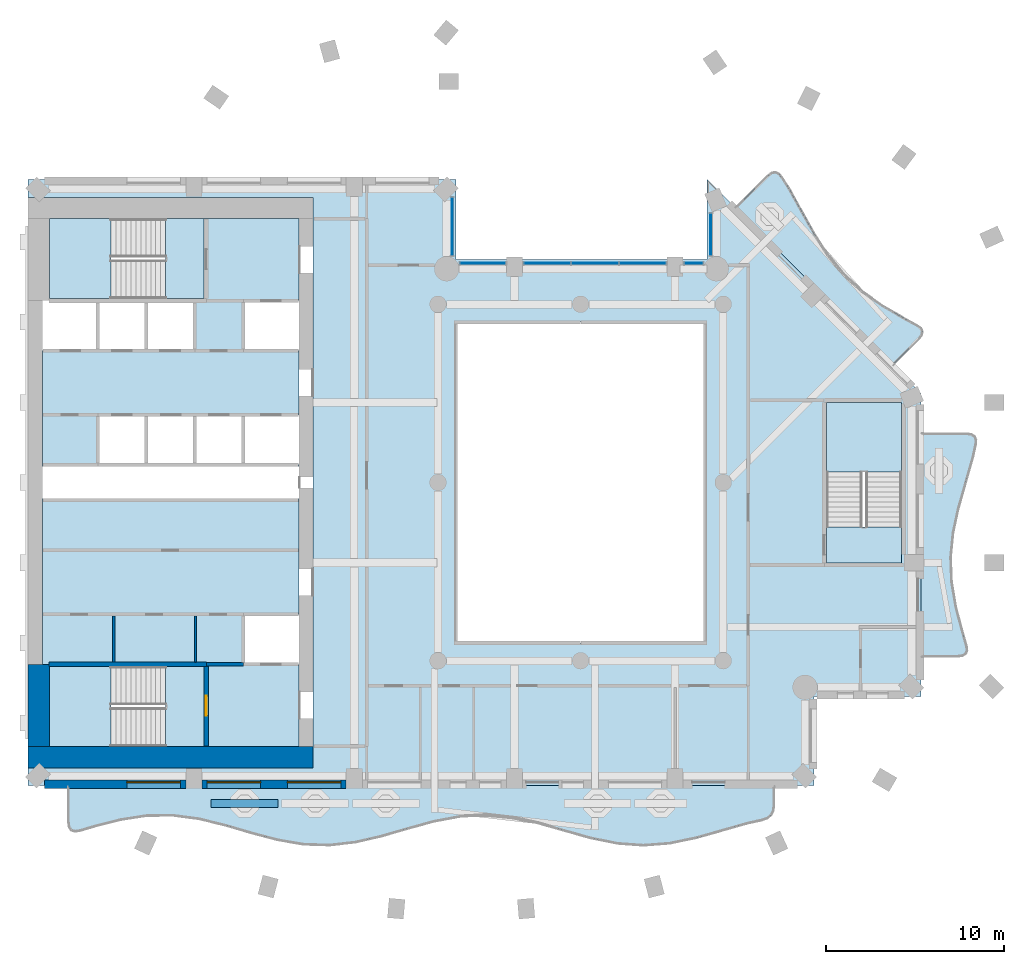
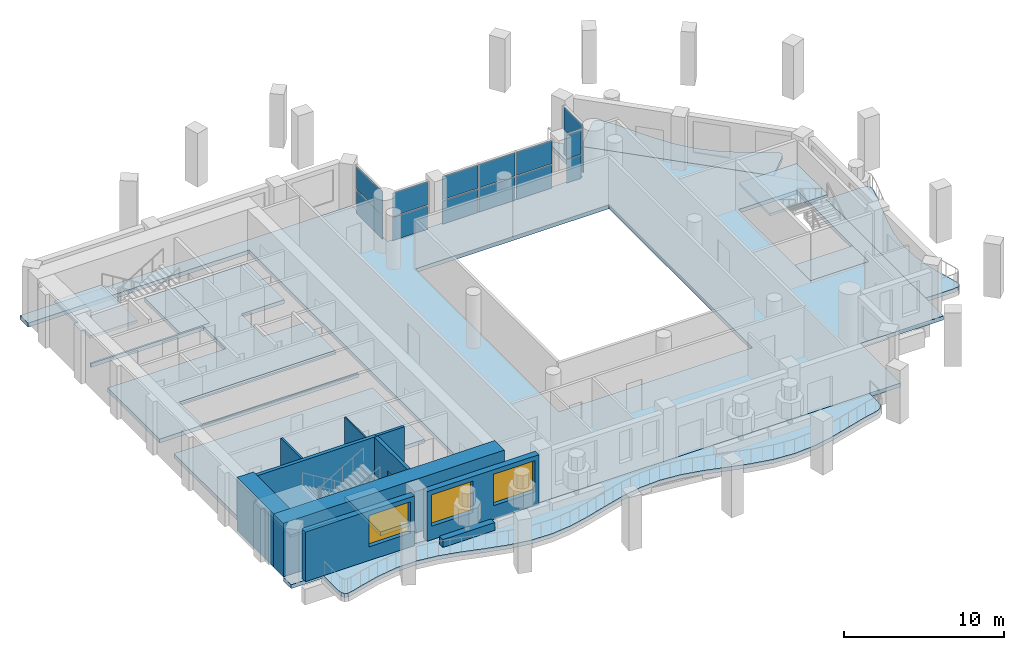
# One storey, part 3 of 14: 14 plates, 12 slabs, 10 walls, 3 windows, 1 door, 4 openings, 8 elements without a shape of their own.
"""IFC4 building model written with IfcOpenShell, lengths in metres."""

from ifc_helpers import new_model, si_unit, direction, frame, frame_2d, origin, origin_2d, place, context, subcontext, project, spatial, polyline, rectangle, outline, extrude, material, layer, layer_set, type_object, element, fill, aggregate, save


model = new_model("IFC4")

# Units and contexts
model_context = context("Model", 3, precision=1e-05, world=origin(), true_north=direction((0.0, 1.0)))
body_context = subcontext(model_context, "Body", "Model", "MODEL_VIEW")
ifc_project = project(units=[si_unit("LENGTHUNIT", "METRE"), si_unit("AREAUNIT", "SQUARE_METRE"), si_unit("VOLUMEUNIT", "CUBIC_METRE"), si_unit("PLANEANGLEUNIT", "RADIAN"), si_unit("MASSUNIT", "GRAM", prefix="KILO")], contexts=[model_context])

# Site, building, storey
site_placement = place(None, origin())
site = spatial("IfcSite", under=ifc_project, at=site_placement, CompositionType="ELEMENT")
building_placement = place(site_placement, origin())
building = spatial("IfcBuilding", under=site, at=building_placement, Name="Cypress Arch Tower", CompositionType="ELEMENT")
storey_placement = place(building_placement, frame((0.0, 0.0, 226.10009765625)))
storey = spatial("IfcBuildingStorey", under=building, at=storey_placement, Name="L50", CompositionType="ELEMENT", Elevation=226.10009765625)

# Slabs
ifc_material_1 = material(Name="Concrete C40/50", Category="concrete")
ifc_layer_1 = layer(ifc_material_1, 0.300048828125)
ifc_layer_set_1 = layer_set([ifc_layer_1], Name="Balcony slab BS300")
slab_type_1 = type_object("IfcSlabType", Name="Balcony slab BS300", PredefinedType="USERDEFINED", material=ifc_layer_set_1)
slab_1_placement = place(storey_placement, frame((0.0, 0.0, -0.300048828125)))
element("IfcSlab", 1, at=slab_1_placement, inside=storey, type_object=slab_type_1, Name="Balcony slab L50-B01", ObjectType="BALCONY SLAB", PredefinedType="USERDEFINED", context=body_context, shape_type="SweptSolid", body=[
    extrude(outline(polyline([(-27.75, -17.0), (-27.75, -19.03857421875), (-27.708740234375, -19.327392578125), (-27.5849609375, -19.505859375), (-27.378662109375, -19.574462890625), (-27.090087890625, -19.53271484375), (-26.283447265625, -19.2958984375), (-24.816650390625, -18.91943359375), (-23.35009765625, -18.693359375), (-21.88330078125, -18.676025390625), (-20.416748046875, -18.871337890625), (-18.949951171875, -19.2294921875), (-17.4833984375, -19.65869140625), (-16.0166015625, -20.048828125), (-14.550048828125, -20.2998046875), (-13.083251953125, -20.347412109375), (-11.61669921875, -20.17919921875), (-10.14990234375, -19.83837890625), (-8.683349609375, -19.41259765625), (-7.216552734375, -19.0107421875), (-5.75, -18.736083984375), (-4.283447265625, -18.65869140625), (-2.816650390625, -18.798828125), (-1.35009765625, -19.120361328125), (0.11669921875, -19.541015625), (1.583251953125, -19.95263671875), (3.050048828125, -20.249755859375), (4.5166015625, -20.356201171875), (5.9833984375, -20.244873046875), (7.449951171875, -19.944091796875), (8.916748046875, -19.531005859375), (10.38330078125, -19.111572265625), (11.18994140625, -18.936767578125), (11.478759765625, -18.831787109375), (11.68505859375, -18.660400390625), (11.808837890625, -18.422607421875), (11.85009765625, -18.1181640625), (11.85009765625, -17.0), (-27.75, -17.0)])), origin(), (0.0, 0.0, 1.0), 0.300048828125),
])
slab_2_placement = place(storey_placement, frame((0.0, 0.0, -0.300048828125)))
element("IfcSlab", 2, at=slab_2_placement, inside=storey, type_object=slab_type_1, Name="Balcony slab L50-B04", ObjectType="BALCONY SLAB", PredefinedType="USERDEFINED", context=body_context, shape_type="SweptSolid", body=[
    extrude(outline(polyline([(20.10009765625, -9.75), (22.1748046875, -9.75), (22.448486328125, -9.7109375), (22.61767578125, -9.59375), (22.682373046875, -9.3984375), (22.642822265625, -9.125), (22.41845703125, -8.361083984375), (22.0537109375, -6.97216796875), (21.81640625, -5.583251953125), (21.76123046875, -4.1943359375), (21.900634765625, -2.8056640625), (22.202880859375, -1.416748046875), (22.59814453125, -0.02783203125), (22.9951171875, 1.361083984375), (23.164306640625, 2.125), (23.184814453125, 2.3984375), (23.10791015625, 2.59375), (22.933837890625, 2.7109375), (22.66259765625, 2.75), (20.10009765625, 2.75), (20.10009765625, -9.75)])), origin(), (0.0, 0.0, 1.0), 0.300048828125),
])
slab_3_placement = place(storey_placement, frame((0.0, 0.0, -0.300048828125)))
element("IfcSlab", 3, at=slab_3_placement, inside=storey, type_object=slab_type_1, Name="Balcony slab L50-B05", ObjectType="BALCONY SLAB", PredefinedType="USERDEFINED", context=body_context, shape_type="SweptSolid", body=[
    extrude(outline(polyline([(18.509033203125, 6.591064453125), (19.977294921875, 8.059326171875), (20.142578125, 8.27978515625), (20.179443359375, 8.481689453125), (20.087158203125, 8.665283203125), (19.866455078125, 8.830078125), (19.169189453125, 9.210693359375), (17.931884765625, 9.93310546875), (16.7841796875, 10.744873046875), (15.76416015625, 11.6845703125), (14.881591796875, 12.76123046875), (14.11376953125, 13.953125), (13.412109375, 15.211181640625), (12.713134765625, 16.471435546875), (12.29443359375, 17.130615234375), (12.116455078125, 17.33837890625), (11.9248046875, 17.42236328125), (11.71923828125, 17.38232421875), (11.500244140625, 17.21826171875), (9.69091796875, 15.408935546875), (18.509033203125, 6.591064453125)])), origin(), (0.0, 0.0, 1.0), 0.300048828125),
])
ifc_material_2 = material(Name="Concrete C40/50", Category="concrete")
ifc_layer_2 = layer(ifc_material_2, 0.300048828125)
ifc_layer_set_2 = layer_set([ifc_layer_2], Name="Core floor CF300")
slab_type_2 = type_object("IfcSlabType", Name="Core floor CF300", PredefinedType="FLOOR", material=ifc_layer_set_2)
slab_4_placement = place(storey_placement, frame((0.0, 0.0, -0.300048828125)))
element("IfcSlab", 4, at=slab_4_placement, inside=storey, type_object=slab_type_2, Name="Core floor", PredefinedType="FLOOR", context=body_context, shape_type="SweptSolid", body=[
    extrude(outline(polyline([(-28.800048828125, -10.199951171875), (-29.199951171875, -10.199951171875), (-29.199951171875, -0.89990234375), (-15.199951171875, -0.89990234375), (-14.800048828125, -0.89990234375), (-14.800048828125, -7.39990234375), (-15.199951171875, -7.39990234375), (-17.919921875, -7.39990234375), (-17.919921875, -10.199951171875), (-15.199951171875, -10.199951171875), (-14.800048828125, -10.199951171875), (-14.800048828125, -14.800048828125), (-15.199951171875, -14.800048828125), (-20.125, -14.800048828125), (-20.125, -10.324951171875), (-22.27490234375, -10.324951171875), (-28.800048828125, -10.324951171875), (-28.800048828125, -10.199951171875)])), origin(), (0.0, 0.0, 1.0), 0.300048828125),
])
slab_5_placement = place(storey_placement, frame((0.0, 0.0, -0.300048828125)))
element("IfcSlab", 5, at=slab_5_placement, inside=storey, type_object=slab_type_2, Name="Core floor", PredefinedType="FLOOR", context=body_context, shape_type="SweptSolid", body=[
    extrude(outline(polyline([(-22.27490234375, -10.324951171875), (-22.27490234375, -14.800048828125), (-20.125, -14.800048828125), (-20.125, -10.324951171875), (-22.27490234375, -10.324951171875)])), origin(), (0.0, 0.0, 1.0), 0.300048828125),
])
slab_6_placement = place(storey_placement, frame((0.0, 0.0, -0.300048828125)))
element("IfcSlab", 6, at=slab_6_placement, inside=storey, type_object=slab_type_2, Name="Core floor", PredefinedType="FLOOR", context=body_context, shape_type="SweptSolid", body=[
    extrude(outline(polyline([(-20.125, 14.800048828125), (-22.27490234375, 14.800048828125), (-22.27490234375, 10.324951171875), (-20.125, 10.324951171875), (-20.125, 14.800048828125)])), origin(), (0.0, 0.0, 1.0), 0.300048828125),
])
slab_7_placement = place(storey_placement, frame((0.0, 0.0, -0.300048828125)))
element("IfcSlab", 7, at=slab_7_placement, inside=storey, type_object=slab_type_2, Name="Stair floor landing", PredefinedType="FLOOR", context=body_context, shape_type="SweptSolid", body=[
    extrude(outline(polyline([(19.0, -4.5), (19.0, -2.5), (14.800048828125, -2.5), (14.800048828125, -4.5), (19.0, -4.5)])), origin(), (0.0, 0.0, 1.0), 0.300048828125),
])
slab_8_placement = place(storey_placement, frame((0.0, 0.0, -0.300048828125)))
element("IfcSlab", 8, at=slab_8_placement, inside=storey, type_object=slab_type_2, Name="Core floor", PredefinedType="FLOOR", context=body_context, shape_type="SweptSolid", body=[
    extrude(outline(polyline([(-20.639892578125, 7.39990234375), (-20.639892578125, 10.199951171875), (-23.360107421875, 10.199951171875), (-26.080078125, 10.199951171875), (-28.800048828125, 10.199951171875), (-28.800048828125, 10.324951171875), (-22.27490234375, 10.324951171875), (-20.125, 10.324951171875), (-20.125, 14.800048828125), (-15.199951171875, 14.800048828125), (-14.800048828125, 14.800048828125), (-14.800048828125, 10.199951171875), (-15.199951171875, 10.199951171875), (-17.919921875, 10.199951171875), (-17.919921875, 7.39990234375), (-15.199951171875, 7.39990234375), (-14.800048828125, 7.39990234375), (-14.800048828125, 3.800048828125), (-15.199951171875, 3.800048828125), (-17.919921875, 3.800048828125), (-20.639892578125, 3.800048828125), (-23.360107421875, 3.800048828125), (-26.080078125, 3.800048828125), (-26.080078125, 1.5), (-26.080078125, 1.5), (-26.080078125, 1.0), (-25.679931640625, 1.0), (-23.360107421875, 1.0), (-20.639892578125, 1.0), (-17.919921875, 1.0), (-15.199951171875, 1.0), (-14.800048828125, 1.0), (-14.800048828125, 0.89990234375), (-15.199951171875, 0.89990234375), (-25.679931640625, 0.89990234375), (-26.47998046875, 0.89990234375), (-29.199951171875, 0.89990234375), (-29.199951171875, 1.5), (-29.199951171875, 7.39990234375), (-26.080078125, 7.39990234375), (-23.360107421875, 7.39990234375), (-20.639892578125, 7.39990234375)])), origin(), (0.0, 0.0, 1.0), 0.300048828125),
])

# Curtain wall, plates
ifc_material_3 = material(Name="Anodised aluminium, bronze finish, clear laminated double glazing", Category="aluminium")
curtain_wall_type = type_object("IfcCurtainWallType", Name="Curtain wall CW7 slot glazing", PredefinedType="NOTDEFINED", material=ifc_material_3)
curtain_wall_1_placement = place(storey_placement, origin())
curtain_wall_1 = element("IfcCurtainWall", 9, at=curtain_wall_1_placement, inside=storey, type_object=curtain_wall_type, Name="Curtain wall L50 slot B06.0", PredefinedType="NOTDEFINED")
ifc_material_4 = material(Name="Clear laminated double glazing", Category="glass")
ifc_layer_3 = layer(ifc_material_4, 0.0439453125)
ifc_layer_set_3 = layer_set([ifc_layer_3], Name="Glass panel CW7 44")
plate_type = type_object("IfcPlateType", Name="Glass panel CW7 44", PredefinedType="CURTAIN_PANEL", material=ifc_layer_set_3)
plate_1_placement = place(storey_placement, frame((8.300048828125, 13.912353515625, 0.0849609375), z_axis=(0.0, 0.0, 1.0), x_axis=(0.0, -1.0, 0.0)))
plate_1 = element("IfcPlate", 10, at=plate_1_placement, type_object=plate_type, Name="CW7 panel 1.1", PredefinedType="CURTAIN_PANEL", context=body_context, shape_type="SweptSolid", body=[
    extrude(rectangle(XDim=2.345458984375, YDim=0.0439453125, at=origin_2d()), origin(), (0.0, 0.0, 1.0), 1.7724609375),
])
plate_2_placement = place(storey_placement, frame((8.300048828125, 13.912353515625, 1.9423828125), z_axis=(0.0, 0.0, 1.0), x_axis=(0.0, -1.0, 0.0)))
plate_2 = element("IfcPlate", 11, at=plate_2_placement, type_object=plate_type, Name="CW7 panel 1.2", PredefinedType="CURTAIN_PANEL", context=body_context, shape_type="SweptSolid", body=[
    extrude(rectangle(XDim=2.345458984375, YDim=0.0439453125, at=origin_2d()), origin(), (0.0, 0.0, 1.0), 1.7724609375),
])
aggregate(curtain_wall_1, [plate_1, plate_2])

curtain_wall_2_placement = place(storey_placement, origin())
curtain_wall_2 = element("IfcCurtainWall", 12, at=curtain_wall_2_placement, inside=storey, type_object=curtain_wall_type, Name="Curtain wall L50 slot B07.0", PredefinedType="NOTDEFINED")
plate_3_placement = place(storey_placement, frame((7.34765625, 12.300048828125, 0.0849609375), z_axis=(0.0, 0.0, 1.0), x_axis=(-1.0, 0.0, 0.0)))
plate_3 = element("IfcPlate", 13, at=plate_3_placement, type_object=plate_type, Name="CW7 panel 1.1", PredefinedType="CURTAIN_PANEL", context=body_context, shape_type="SweptSolid", body=[
    extrude(rectangle(XDim=1.025390625, YDim=0.0439453125, at=origin_2d()), origin(), (0.0, 0.0, 1.0), 1.7724609375),
])
plate_4_placement = place(storey_placement, frame((7.34765625, 12.300048828125, 1.9423828125), z_axis=(0.0, 0.0, 1.0), x_axis=(-1.0, 0.0, 0.0)))
plate_4 = element("IfcPlate", 14, at=plate_4_placement, type_object=plate_type, Name="CW7 panel 1.2", PredefinedType="CURTAIN_PANEL", context=body_context, shape_type="SweptSolid", body=[
    extrude(rectangle(XDim=1.025390625, YDim=0.0439453125, at=origin_2d()), origin(), (0.0, 0.0, 1.0), 1.7724609375),
])
aggregate(curtain_wall_2, [plate_3, plate_4])

curtain_wall_3_placement = place(storey_placement, origin())
curtain_wall_3 = element("IfcCurtainWall", 15, at=curtain_wall_3_placement, inside=storey, type_object=curtain_wall_type, Name="Curtain wall L50 slot B07.1", PredefinedType="NOTDEFINED")
plate_5_placement = place(storey_placement, frame((4.478759765625, 12.300048828125, 0.0849609375), z_axis=(0.0, 0.0, 1.0), x_axis=(-1.0, 0.0, 0.0)))
plate_5 = element("IfcPlate", 16, at=plate_5_placement, type_object=plate_type, Name="CW7 panel 1.1", PredefinedType="CURTAIN_PANEL", context=body_context, shape_type="SweptSolid", body=[
    extrude(rectangle(XDim=2.572509765625, YDim=0.0439453125, at=origin_2d()), origin(), (0.0, 0.0, 1.0), 1.7724609375),
])
plate_6_placement = place(storey_placement, frame((4.478759765625, 12.300048828125, 1.9423828125), z_axis=(0.0, 0.0, 1.0), x_axis=(-1.0, 0.0, 0.0)))
plate_6 = element("IfcPlate", 17, at=plate_6_placement, type_object=plate_type, Name="CW7 panel 1.2", PredefinedType="CURTAIN_PANEL", context=body_context, shape_type="SweptSolid", body=[
    extrude(rectangle(XDim=2.572509765625, YDim=0.0439453125, at=origin_2d()), origin(), (0.0, 0.0, 1.0), 1.7724609375),
])
plate_7_placement = place(storey_placement, frame((1.800048828125, 12.300048828125, 0.0849609375), z_axis=(0.0, 0.0, 1.0), x_axis=(-1.0, 0.0, 0.0)))
plate_7 = element("IfcPlate", 18, at=plate_7_placement, type_object=plate_type, Name="CW7 panel 2.1", PredefinedType="CURTAIN_PANEL", context=body_context, shape_type="SweptSolid", body=[
    extrude(rectangle(XDim=2.614990234375, YDim=0.0439453125, at=origin_2d()), origin(), (0.0, 0.0, 1.0), 1.7724609375),
])
plate_8_placement = place(storey_placement, frame((1.800048828125, 12.300048828125, 1.9423828125), z_axis=(0.0, 0.0, 1.0), x_axis=(-1.0, 0.0, 0.0)))
plate_8 = element("IfcPlate", 19, at=plate_8_placement, type_object=plate_type, Name="CW7 panel 2.2", PredefinedType="CURTAIN_PANEL", context=body_context, shape_type="SweptSolid", body=[
    extrude(rectangle(XDim=2.614990234375, YDim=0.0439453125, at=origin_2d()), origin(), (0.0, 0.0, 1.0), 1.7724609375),
])
plate_9_placement = place(storey_placement, frame((-0.878662109375, 12.300048828125, 0.0849609375), z_axis=(0.0, 0.0, 1.0), x_axis=(-1.0, 0.0, 0.0)))
plate_9 = element("IfcPlate", 20, at=plate_9_placement, type_object=plate_type, Name="CW7 panel 3.1", PredefinedType="CURTAIN_PANEL", context=body_context, shape_type="SweptSolid", body=[
    extrude(rectangle(XDim=2.572509765625, YDim=0.0439453125, at=origin_2d()), origin(), (0.0, 0.0, 1.0), 1.7724609375),
])
plate_10_placement = place(storey_placement, frame((-0.878662109375, 12.300048828125, 1.9423828125), z_axis=(0.0, 0.0, 1.0), x_axis=(-1.0, 0.0, 0.0)))
plate_10 = element("IfcPlate", 21, at=plate_10_placement, type_object=plate_type, Name="CW7 panel 3.2", PredefinedType="CURTAIN_PANEL", context=body_context, shape_type="SweptSolid", body=[
    extrude(rectangle(XDim=2.572509765625, YDim=0.0439453125, at=origin_2d()), origin(), (0.0, 0.0, 1.0), 1.7724609375),
])
aggregate(curtain_wall_3, [plate_5, plate_6, plate_7, plate_8, plate_9, plate_10])

curtain_wall_4_placement = place(storey_placement, origin())
curtain_wall_4 = element("IfcCurtainWall", 22, at=curtain_wall_4_placement, inside=storey, type_object=curtain_wall_type, Name="Curtain wall L50 slot B07.2", PredefinedType="NOTDEFINED")
plate_11_placement = place(storey_placement, frame((-4.497802734375, 12.300048828125, 0.0849609375), z_axis=(0.0, 0.0, 1.0), x_axis=(-1.0, 0.0, 0.0)))
plate_11 = element("IfcPlate", 23, at=plate_11_placement, type_object=plate_type, Name="CW7 panel 1.1", PredefinedType="CURTAIN_PANEL", context=body_context, shape_type="SweptSolid", body=[
    extrude(rectangle(XDim=2.525390625, YDim=0.0439453125, at=origin_2d()), origin(), (0.0, 0.0, 1.0), 1.7724609375),
])
plate_12_placement = place(storey_placement, frame((-4.497802734375, 12.300048828125, 1.9423828125), z_axis=(0.0, 0.0, 1.0), x_axis=(-1.0, 0.0, 0.0)))
plate_12 = element("IfcPlate", 24, at=plate_12_placement, type_object=plate_type, Name="CW7 panel 1.2", PredefinedType="CURTAIN_PANEL", context=body_context, shape_type="SweptSolid", body=[
    extrude(rectangle(XDim=2.525390625, YDim=0.0439453125, at=origin_2d()), origin(), (0.0, 0.0, 1.0), 1.7724609375),
])
aggregate(curtain_wall_4, [plate_11, plate_12])

curtain_wall_5_placement = place(storey_placement, origin())
curtain_wall_5 = element("IfcCurtainWall", 25, at=curtain_wall_5_placement, inside=storey, type_object=curtain_wall_type, Name="Curtain wall L50 slot B08.0", PredefinedType="NOTDEFINED")
plate_13_placement = place(storey_placement, frame((-6.199951171875, 14.359130859375, 0.0849609375), z_axis=(0.0, 0.0, 1.0), x_axis=(0.0, 1.0, 0.0)))
plate_13 = element("IfcPlate", 26, at=plate_13_placement, type_object=plate_type, Name="CW7 panel 1.1", PredefinedType="CURTAIN_PANEL", context=body_context, shape_type="SweptSolid", body=[
    extrude(rectangle(XDim=3.239013671875, YDim=0.0439453125, at=origin_2d()), origin(), (0.0, 0.0, 1.0), 1.7724609375),
])
plate_14_placement = place(storey_placement, frame((-6.199951171875, 14.359130859375, 1.9423828125), z_axis=(0.0, 0.0, 1.0), x_axis=(0.0, 1.0, 0.0)))
plate_14 = element("IfcPlate", 27, at=plate_14_placement, type_object=plate_type, Name="CW7 panel 1.2", PredefinedType="CURTAIN_PANEL", context=body_context, shape_type="SweptSolid", body=[
    extrude(rectangle(XDim=3.239013671875, YDim=0.0439453125, at=origin_2d()), origin(), (0.0, 0.0, 1.0), 1.7724609375),
])
aggregate(curtain_wall_5, [plate_13, plate_14])

# Slab
ifc_material_5 = material(Name="Concrete C40/50", Category="concrete")
ifc_layer_4 = layer(ifc_material_5, 0.300048828125)
ifc_layer_set_4 = layer_set([ifc_layer_4], Name="PT flat slab 300 Concrete C40/50")
slab_type_3 = type_object("IfcSlabType", Name="PT flat slab 300 Concrete C40/50", PredefinedType="FLOOR", material=ifc_layer_set_4)
slab_9_placement = place(storey_placement, frame((0.0, 0.0, -0.300048828125)))
element("IfcSlab", 28, at=slab_9_placement, inside=storey, type_object=slab_type_3, Name="Floor slab L50", PredefinedType="FLOOR", context=body_context, shape_type="SweptSolid", body=[
    extrude(outline(polyline([(-30.0, 17.0), (-6.0, 17.0), (-6.0, 12.5), (8.10009765625, 12.5), (8.10009765625, 17.0), (20.10009765625, 5.0), (20.10009765625, -12.0), (14.10009765625, -12.0), (14.10009765625, -17.0), (-30.0, -17.0), (-30.0, -16.0), (-14.0, -16.0), (-14.0, 16.0), (-30.0, 16.0), (-30.0, 17.0)]), holes=[polyline([(-6.0, -9.0), (8.0, -9.0), (8.0, 9.0), (-6.0, 9.0), (-6.0, -9.0)]), polyline([(14.800048828125, -4.5), (19.0, -4.5), (19.0, 4.5), (14.800048828125, 4.5), (14.800048828125, -4.5)])]), origin(), (0.0, 0.0, 1.0), 0.300048828125),
])

# Stair, slab
ifc_material_6 = material(Name="Concrete C40/50", Category="concrete")
stair_type_1 = type_object("IfcStairType", Name="Exit stair ES1708-215", PredefinedType="HALF_TURN_STAIR", material=ifc_material_6)
stair_1_placement = place(storey_placement, origin())
stair_1 = element("IfcStair", 29, at=stair_1_placement, inside=storey, type_object=stair_type_1, Name="L50 Exit stair A", PredefinedType="HALF_TURN_STAIR")
ifc_material_7 = material(Name="Concrete C40/50", Category="concrete")
ifc_layer_5 = layer(ifc_material_7, 0.199951171875)
ifc_layer_set_5 = layer_set([ifc_layer_5], Name="Stair landing SL200")
slab_type_4 = type_object("IfcSlabType", Name="Stair landing SL200", PredefinedType="LANDING", material=ifc_layer_set_5)
slab_10_placement = place(storey_placement, frame((0.0, 0.0, 1.849853515625)))
slab_10 = element("IfcSlab", 30, at=slab_10_placement, type_object=slab_type_4, Name="A landing 1", PredefinedType="LANDING", context=body_context, shape_type="SweptSolid", body=[
    extrude(outline(polyline([(-25.35498046875, -10.324951171875), (-28.800048828125, -10.324951171875), (-28.800048828125, -14.800048828125), (-25.35498046875, -14.800048828125), (-25.35498046875, -10.324951171875)])), origin(), (0.0, 0.0, 1.0), 0.199951171875),
])
aggregate(stair_1, [slab_10])

stair_2_placement = place(storey_placement, origin())
stair_2 = element("IfcStair", 31, at=stair_2_placement, inside=storey, type_object=stair_type_1, Name="L50 Exit stair B", PredefinedType="HALF_TURN_STAIR")
slab_11_placement = place(storey_placement, frame((0.0, 0.0, 1.849853515625)))
slab_11 = element("IfcSlab", 32, at=slab_11_placement, type_object=slab_type_4, Name="B landing 1", PredefinedType="LANDING", context=body_context, shape_type="SweptSolid", body=[
    extrude(outline(polyline([(-25.35498046875, 14.800048828125), (-28.800048828125, 14.800048828125), (-28.800048828125, 10.324951171875), (-25.35498046875, 10.324951171875), (-25.35498046875, 14.800048828125)])), origin(), (0.0, 0.0, 1.0), 0.199951171875),
])
aggregate(stair_2, [slab_11])

ifc_material_8 = material(Name="Concrete C40/50", Category="concrete")
stair_type_2 = type_object("IfcStairType", Name="Exit stair ES1708-200", PredefinedType="HALF_TURN_STAIR", material=ifc_material_8)
stair_3_placement = place(storey_placement, origin())
stair_3 = element("IfcStair", 33, at=stair_3_placement, inside=storey, type_object=stair_type_2, Name="L50 Exit stair C", PredefinedType="HALF_TURN_STAIR")
slab_12_placement = place(storey_placement, frame((0.0, 0.0, 1.849853515625)))
slab_12 = element("IfcSlab", 34, at=slab_12_placement, type_object=slab_type_4, Name="C landing 1", PredefinedType="LANDING", context=body_context, shape_type="SweptSolid", body=[
    extrude(outline(polyline([(19.0, 0.580078125), (19.0, 4.5), (14.800048828125, 4.5), (14.800048828125, 0.580078125), (19.0, 0.580078125)])), origin(), (0.0, 0.0, 1.0), 0.199951171875),
])
aggregate(stair_3, [slab_12])

# Wall
ifc_material_9 = material(Name="Concrete C40/50, waterproofed", Category="concrete")
ifc_layer_6 = layer(ifc_material_9, 0.449951171875)
ifc_layer_set_6 = layer_set([ifc_layer_6], Name="Balcony planter wall PW450")
wall_type_1 = type_object("IfcWallType", Name="Balcony planter wall PW450", PredefinedType="SOLIDWALL", material=ifc_layer_set_6)
wall_1_placement = place(storey_placement, frame((-19.72998046875, -18.0, 0.0), z_axis=(0.0, 0.0, 1.0), x_axis=(1.0, 0.0, 0.0)))
element("IfcWall", 35, at=wall_1_placement, inside=storey, type_object=wall_type_1, Name="Balcony planter wall L50-B01.1", PredefinedType="SOLIDWALL", context=body_context, shape_type="SweptSolid", body=[
    extrude(rectangle(XDim=3.760009765625, YDim=0.449951171875, at=frame_2d((1.8798828125, 0.0))), origin(), (0.0, 0.0, 1.0), 0.599853515625),
])

# Wall, opening, window
ifc_material_10 = material(Name="Brick (red buff blend)", Category="masonry")
ifc_layer_7 = layer(ifc_material_10, 0.449951171875)
ifc_layer_set_7 = layer_set([ifc_layer_7], Name="Brick pier and spandrel wall BW450")
wall_type_2 = type_object("IfcWallType", Name="Brick pier and spandrel wall BW450", PredefinedType="SOLIDWALL", material=ifc_layer_set_7)
wall_2_placement = place(storey_placement, frame((-29.063720703125, -16.925048828125, 0.0), z_axis=(0.0, 0.0, 1.0), x_axis=(1.0, 0.0, 0.0)))
wall_2 = element("IfcWall", 36, at=wall_2_placement, inside=storey, type_object=wall_type_2, Name="Brick wall L50 B01.0", PredefinedType="SOLIDWALL", context=body_context, shape_type="SweptSolid", body=[
    extrude(rectangle(XDim=7.913818359375, YDim=0.449951171875, at=frame_2d((3.95703125, 0.0))), origin(), (0.0, 0.0, 1.0), 3.7998046875),
])
opening_1_placement = place(wall_2_placement, frame((4.613525390625, 0.0, 1.050048828125)))
opening_1 = element("IfcOpeningElement", 37, at=opening_1_placement, cuts=wall_2, Name="Opening W300OD", PredefinedType="OPENING", context=body_context, shape_type="SweptSolid", body=[
    extrude(rectangle(XDim=3.0, YDim=2.39990234375, at=frame_2d((1.5, 1.199951171875))), frame((0.0, 0.23486328125, 0.0), z_axis=(0.0, -1.0, 0.0), x_axis=(1.0, 0.0, 0.0)), (0.0, 0.0, 1.0), 0.469970703125),
])
ifc_material_11 = material(Name="Anodised aluminium, bronze finish, laminated low-emissivity double glazing, large-missile impact rated", Category="aluminium")
window_type = type_object("IfcWindowType", Name="Window Office 3000x2400 debris-rated", PartitioningType="SINGLE_PANEL", PredefinedType="WINDOW", material=ifc_material_11)
window_1_placement = place(opening_1_placement, origin())
window_1 = element("IfcWindow", 38, at=window_1_placement, inside=storey, type_object=window_type, Name="Window L50 B01.0.2", OverallHeight=2.39990234375, OverallWidth=3.0, PartitioningType="SINGLE_PANEL", PredefinedType="WINDOW", context=body_context, shape_type="SweptSolid", body=[
    extrude(rectangle(XDim=3.0, YDim=2.39990234375, at=frame_2d((1.5, 1.199951171875))), frame((0.0, 0.135009765625, 0.0), z_axis=(0.0, -1.0, 0.0), x_axis=(1.0, 0.0, 0.0)), (0.0, 0.0, 1.0), 0.06005859375),
])
fill(opening_1, window_1)

# Wall, openings, windows
wall_3_placement = place(storey_placement, frame((-20.25, -16.925048828125, 0.0), z_axis=(0.0, 0.0, 1.0), x_axis=(1.0, 0.0, 0.0)))
wall_3 = element("IfcWall", 39, at=wall_3_placement, inside=storey, type_object=wall_type_2, Name="Brick wall L50 B01.1", PredefinedType="SOLIDWALL", context=body_context, shape_type="SweptSolid", body=[
    extrude(rectangle(XDim=8.10009765625, YDim=0.449951171875, at=frame_2d((4.050048828125, 0.0))), origin(), (0.0, 0.0, 1.0), 3.7998046875),
])
opening_2_placement = place(wall_3_placement, frame((0.300048828125, 0.0, 1.050048828125)))
opening_2 = element("IfcOpeningElement", 40, at=opening_2_placement, cuts=wall_3, Name="Opening W300OD", PredefinedType="OPENING", context=body_context, shape_type="SweptSolid", body=[
    extrude(rectangle(XDim=3.0, YDim=2.39990234375, at=frame_2d((1.5, 1.199951171875))), frame((0.0, 0.23486328125, 0.0), z_axis=(0.0, -1.0, 0.0), x_axis=(1.0, 0.0, 0.0)), (0.0, 0.0, 1.0), 0.469970703125),
])
opening_3_placement = place(wall_3_placement, frame((4.800048828125, 0.0, 1.050048828125)))
opening_3 = element("IfcOpeningElement", 41, at=opening_3_placement, cuts=wall_3, Name="Opening W300OD", PredefinedType="OPENING", context=body_context, shape_type="SweptSolid", body=[
    extrude(rectangle(XDim=3.0, YDim=2.39990234375, at=frame_2d((1.5, 1.199951171875))), frame((0.0, 0.23486328125, 0.0), z_axis=(0.0, -1.0, 0.0), x_axis=(1.0, 0.0, 0.0)), (0.0, 0.0, 1.0), 0.469970703125),
])
window_2_placement = place(opening_2_placement, origin())
window_2 = element("IfcWindow", 42, at=window_2_placement, inside=storey, type_object=window_type, Name="Window L50 B01.1.1", OverallHeight=2.39990234375, OverallWidth=3.0, PartitioningType="SINGLE_PANEL", PredefinedType="WINDOW", context=body_context, shape_type="SweptSolid", body=[
    extrude(rectangle(XDim=3.0, YDim=2.39990234375, at=frame_2d((1.5, 1.199951171875))), frame((0.0, 0.135009765625, 0.0), z_axis=(0.0, -1.0, 0.0), x_axis=(1.0, 0.0, 0.0)), (0.0, 0.0, 1.0), 0.06005859375),
])
fill(opening_2, window_2)
window_3_placement = place(opening_3_placement, origin())
window_3 = element("IfcWindow", 43, at=window_3_placement, inside=storey, type_object=window_type, Name="Window L50 B01.1.2", OverallHeight=2.39990234375, OverallWidth=3.0, PartitioningType="SINGLE_PANEL", PredefinedType="WINDOW", context=body_context, shape_type="SweptSolid", body=[
    extrude(rectangle(XDim=3.0, YDim=2.39990234375, at=frame_2d((1.5, 1.199951171875))), frame((0.0, 0.135009765625, 0.0), z_axis=(0.0, -1.0, 0.0), x_axis=(1.0, 0.0, 0.0)), (0.0, 0.0, 1.0), 0.06005859375),
])
fill(opening_3, window_3)

# Walls
ifc_material_12 = material(Name="Concrete C70/85", Category="concrete")
ifc_layer_8 = layer(ifc_material_12, 1.199951171875)
ifc_layer_set_8 = layer_set([ifc_layer_8], Name="Core wall CW1200 C70/85")
wall_type_3 = type_object("IfcWallType", Name="Core wall CW1200 C70/85", PredefinedType="SHEAR", material=ifc_layer_set_8)
wall_4_placement = place(storey_placement, frame((-30.0, -15.39990234375, 0.0), z_axis=(0.0, 0.0, 1.0), x_axis=(1.0, 0.0, 0.0)))
element("IfcWall", 44, at=wall_4_placement, inside=storey, type_object=wall_type_3, Name="Core wall", PredefinedType="SHEAR", context=body_context, shape_type="SweptSolid", body=[
    extrude(rectangle(XDim=16.0, YDim=1.199951171875, at=frame_2d((8.0, 0.0))), origin(), (0.0, 0.0, 1.0), 4.099853515625),
])
wall_5_placement = place(storey_placement, frame((-29.39990234375, -14.800048828125, 0.0), z_axis=(0.0, 0.0, 1.0), x_axis=(0.0, 1.0, 0.0)))
element("IfcWall", 45, at=wall_5_placement, inside=storey, type_object=wall_type_3, Name="Core wall", PredefinedType="SHEAR", context=body_context, shape_type="SweptSolid", body=[
    extrude(rectangle(XDim=4.60009765625, YDim=1.199951171875, at=frame_2d((2.300048828125, 0.0))), origin(), (0.0, 0.0, 1.0), 4.099853515625),
])
ifc_material_13 = material(Name="Concrete blockwork, plastered, rated", Category="masonry")
ifc_layer_9 = layer(ifc_material_13, 0.199951171875)
ifc_layer_set_9 = layer_set([ifc_layer_9], Name="Corridor wall FW200")
wall_type_4 = type_object("IfcWallType", Name="Corridor wall FW200", PredefinedType="PARTITIONING", material=ifc_layer_set_9)
wall_6_placement = place(storey_placement, frame((-20.0, -10.199951171875, 0.0), z_axis=(0.0, 0.0, 1.0), x_axis=(1.0, 0.0, 0.0)))
element("IfcWall", 46, at=wall_6_placement, inside=storey, type_object=wall_type_4, Name="Corridor wall", PredefinedType="PARTITIONING", context=body_context, shape_type="SweptSolid", body=[
    extrude(rectangle(XDim=2.080078125, YDim=0.199951171875, at=frame_2d((1.0400390625, 0.0))), origin(), (0.0, 0.0, 1.0), 3.7998046875),
])
ifc_material_14 = material(Name="Blockwork, plastered both sides", Category="masonry")
ifc_layer_10 = layer(ifc_material_14, 0.14990234375)
ifc_layer_set_10 = layer_set([ifc_layer_10], Name="Partition PW150")
wall_type_5 = type_object("IfcWallType", Name="Partition PW150", PredefinedType="PARTITIONING", material=ifc_layer_set_10)
wall_7_placement = place(storey_placement, frame((-25.199951171875, -10.074951171875, 0.0), z_axis=(0.0, 0.0, 1.0), x_axis=(0.0, 1.0, 0.0)))
element("IfcWall", 47, at=wall_7_placement, inside=storey, type_object=wall_type_5, Name="Partition", PredefinedType="PARTITIONING", context=body_context, shape_type="SweptSolid", body=[
    extrude(rectangle(XDim=2.574951171875, YDim=0.14990234375, at=frame_2d((1.28759765625, 0.0))), origin(), (0.0, 0.0, 1.0), 3.7998046875),
])
ifc_material_15 = material(Name="Concrete C50/60", Category="concrete")
ifc_layer_11 = layer(ifc_material_15, 0.25)
ifc_layer_set_11 = layer_set([ifc_layer_11], Name="Stair enclosure wall SW250")
wall_type_6 = type_object("IfcWallType", Name="Stair enclosure wall SW250", PredefinedType="SHEAR", material=ifc_layer_set_11)
wall_8_placement = place(storey_placement, frame((-28.81005859375, -10.199951171875, 0.0), z_axis=(0.0, 0.0, 1.0), x_axis=(1.0, 0.0, 0.0)))
element("IfcWall", 48, at=wall_8_placement, inside=storey, type_object=wall_type_6, Name="Stair enclosure wall", PredefinedType="SHEAR", context=body_context, shape_type="SweptSolid", body=[
    extrude(rectangle(XDim=8.81005859375, YDim=0.25, at=frame_2d((4.405029296875, 0.0))), origin(), (0.0, 0.0, 1.0), 3.7998046875),
])

# Wall, opening, door
wall_9_placement = place(storey_placement, frame((-20.0, -14.77001953125, 0.0), z_axis=(0.0, 0.0, 1.0), x_axis=(0.0, 1.0, 0.0)))
wall_9 = element("IfcWall", 49, at=wall_9_placement, inside=storey, type_object=wall_type_6, Name="Stair enclosure wall", PredefinedType="SHEAR", context=body_context, shape_type="SweptSolid", body=[
    extrude(rectangle(XDim=4.445068359375, YDim=0.25, at=frame_2d((2.22265625, 0.0))), origin(), (0.0, 0.0, 1.0), 3.7998046875),
])
opening_4_placement = place(wall_9_placement, frame((1.699951171875, 0.0, 0.0)))
opening_4 = element("IfcOpeningElement", 50, at=opening_4_placement, cuts=wall_9, Name="Opening D06", PredefinedType="OPENING", context=body_context, shape_type="SweptSolid", body=[
    extrude(rectangle(XDim=1.10009765625, YDim=2.199951171875, at=frame_2d((0.550048828125, 1.10009765625))), frame((0.0, 0.135009765625, 0.0), z_axis=(0.0, -1.0, 0.0), x_axis=(1.0, 0.0, 0.0)), (0.0, 0.0, 1.0), 0.27001953125),
])
ifc_material_16 = material(Name="Steel door, fire resisting, panic bar", Category="steel")
door_type = type_object("IfcDoorType", Name="Stair door D06 1100x2200", OperationType="SINGLE_SWING_LEFT", PredefinedType="DOOR", material=ifc_material_16)
door_placement = place(opening_4_placement, origin())
door = element("IfcDoor", 51, at=door_placement, inside=storey, type_object=door_type, Name="Stair door", OperationType="SINGLE_SWING_RIGHT", OverallHeight=2.199951171875, OverallWidth=1.10009765625, PredefinedType="DOOR", context=body_context, shape_type="SweptSolid", body=[
    extrude(rectangle(XDim=1.10009765625, YDim=2.199951171875, at=frame_2d((0.550048828125, 1.10009765625))), frame((0.0, 0.02490234375, 0.0), z_axis=(0.0, -1.0, 0.0), x_axis=(1.0, 0.0, 0.0)), (0.0, 0.0, 1.0), 0.050048828125),
])
fill(opening_4, door)

# Wall
ifc_material_17 = material(Name="Moisture resistant board on steel studs, tiled", Category="steel")
ifc_layer_12 = layer(ifc_material_17, 0.10009765625)
ifc_layer_set_12 = layer_set([ifc_layer_12], Name="Wet wall PW100")
wall_type_7 = type_object("IfcWallType", Name="Wet wall PW100", PredefinedType="PARTITIONING", material=ifc_layer_set_12)
wall_10_placement = place(storey_placement, frame((-20.60009765625, -10.074951171875, 0.0), z_axis=(0.0, 0.0, 1.0), x_axis=(0.0, 1.0, 0.0)))
element("IfcWall", 52, at=wall_10_placement, inside=storey, type_object=wall_type_7, Name="Wet wall", PredefinedType="PARTITIONING", context=body_context, shape_type="SweptSolid", body=[
    extrude(rectangle(XDim=2.574951171875, YDim=0.10009765625, at=frame_2d((1.28759765625, 0.0))), origin(), (0.0, 0.0, 1.0), 3.7998046875),
])

save(model, "model.ifc")
